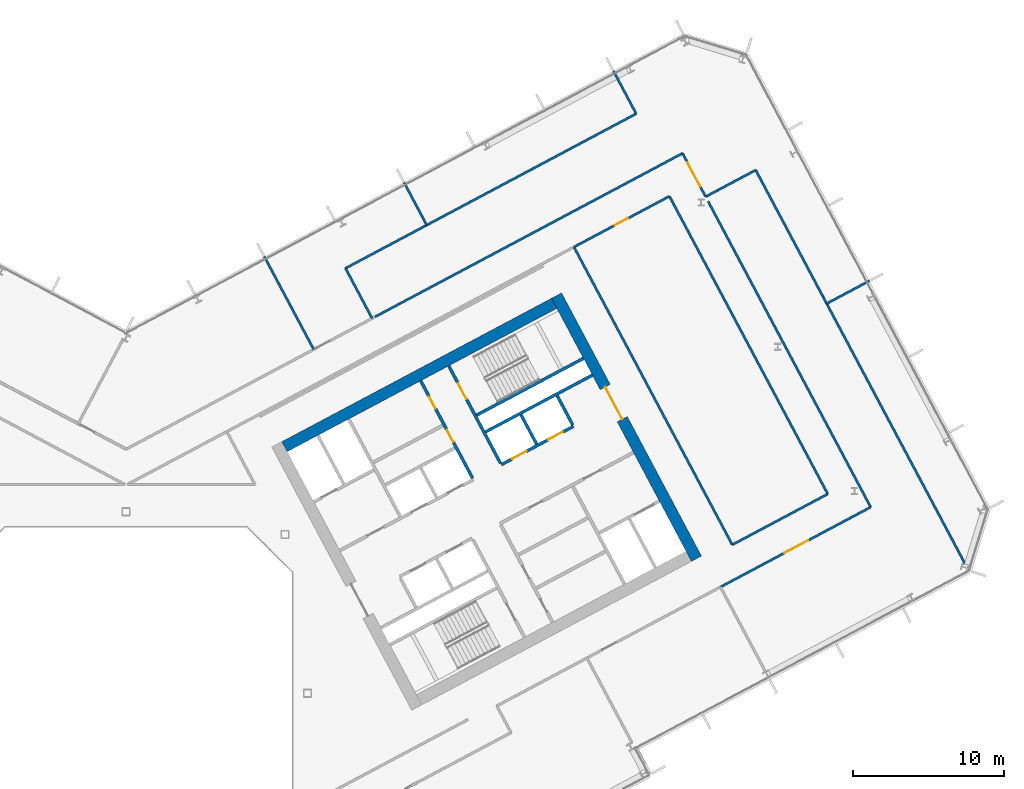
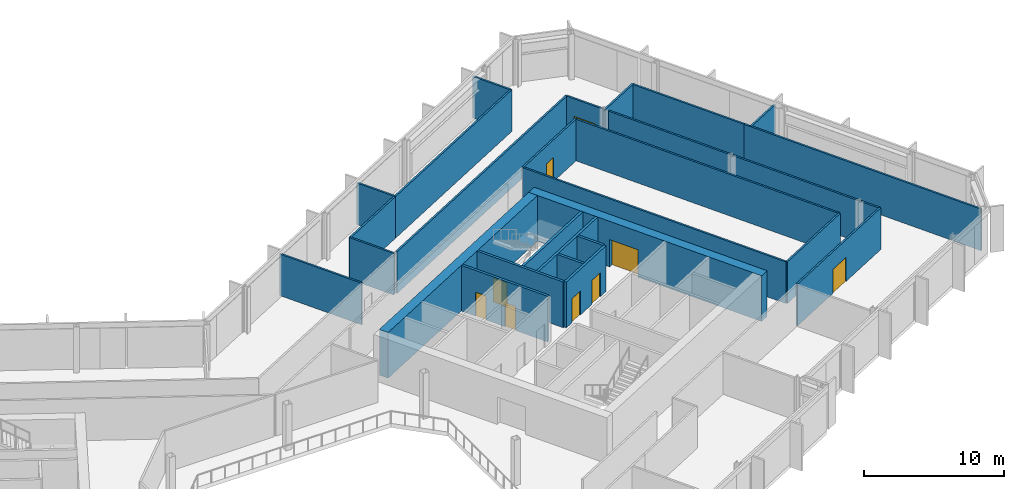
# One storey, part 17 of 28: 27 walls, 9 doors, 9 openings.
"""IFC4 building model written with IfcOpenShell, lengths in metres."""

from ifc_helpers import new_model, si_unit, direction, frame, frame_2d, origin, place, context, subcontext, project, spatial, rectangle, extrude, material, layer, layer_set, type_object, element, fill, save


model = new_model("IFC4")

# Units and contexts
model_context = context("Model", 3, precision=1e-05, world=origin(), true_north=direction((0.0, 1.0)))
body_context = subcontext(model_context, "Body", "Model", "MODEL_VIEW")
ifc_project = project(units=[si_unit("LENGTHUNIT", "METRE"), si_unit("AREAUNIT", "SQUARE_METRE"), si_unit("VOLUMEUNIT", "CUBIC_METRE"), si_unit("PLANEANGLEUNIT", "RADIAN"), si_unit("MASSUNIT", "GRAM", prefix="KILO")], contexts=[model_context])

# Site, building, storey
site_placement = place(None, origin())
site = spatial("IfcSite", under=ifc_project, at=site_placement, CompositionType="ELEMENT")
building_placement = place(site_placement, origin())
building = spatial("IfcBuilding", under=site, at=building_placement, Name="Cormorant Relay Tower", CompositionType="ELEMENT")
storey_placement = place(building_placement, frame((0.0, 0.0, 130.199951171875)))
storey = spatial("IfcBuildingStorey", under=building, at=storey_placement, Name="L26", CompositionType="ELEMENT", Elevation=130.199951171875)

# Wall
ifc_material_1 = material(Name="Concrete 40 MPa", Category="concrete")
ifc_layer_1 = layer(ifc_material_1, 0.199951171875)
ifc_layer_set_1 = layer_set([ifc_layer_1], Name="Core internal wall 200")
wall_type_1 = type_object("IfcWallType", Name="Core internal wall 200", PredefinedType="SOLIDWALL", material=ifc_layer_set_1)
wall_1_placement = place(storey_placement, frame((27.144287109375, 16.471435546875, 0.0), z_axis=(0.0, 0.0, 1.0), x_axis=(-0.469401318492, 0.882984938828, 0.0)))
element("IfcWall", 1, at=wall_1_placement, inside=storey, type_object=wall_type_1, Name="L26 core B shaft and room wall", PredefinedType="SOLIDWALL", context=body_context, shape_type="SweptSolid", body=[
    extrude(rectangle(XDim=2.199951171875, YDim=0.199951171875, at=frame_2d((1.10009765625, 0.0))), origin(), (0.0, 0.0, 1.0), 4.0),
])

# Wall, openings, doors
ifc_material_2 = material(Name="Concrete 50 MPa", Category="concrete")
ifc_layer_2 = layer(ifc_material_2, 0.199951171875)
ifc_layer_set_2 = layer_set([ifc_layer_2], Name="Core shaft wall 200")
wall_type_2 = type_object("IfcWallType", Name="Core shaft wall 200", PredefinedType="SHEAR", material=ifc_layer_set_2)
wall_2_placement = place(storey_placement, frame((22.90625, 14.218017578125, 0.0), z_axis=(0.0, 0.0, 1.0), x_axis=(-0.469480409012, 0.88294288918, 0.0)))
wall_2 = element("IfcWall", 2, at=wall_2_placement, inside=storey, type_object=wall_type_2, Name="L26 core B shaft wall", PredefinedType="SHEAR", context=body_context, shape_type="SweptSolid", body=[
    extrude(rectangle(XDim=7.300048828125, YDim=0.199951171875, at=frame_2d((3.64990234375, 0.0))), origin(), (0.0, 0.0, 1.0), 4.0),
])
opening_1_placement = place(wall_2_placement, frame((2.699951171875, 0.0, 0.0)))
opening_1 = element("IfcOpeningElement", 3, at=opening_1_placement, cuts=wall_2, Name="Opening CDD-192", PredefinedType="OPENING", context=body_context, shape_type="SweptSolid", body=[
    extrude(rectangle(XDim=0.89990234375, YDim=2.10009765625, at=frame_2d((0.449951171875, 1.050048828125))), frame((0.0, 0.10986328125, 0.0), z_axis=(0.0, -1.0, 0.0), x_axis=(1.0, 0.0, 0.0)), (0.0, 0.0, 1.0), 0.219970703125),
])
opening_2_placement = place(wall_2_placement, frame((5.199951171875, 0.0, 0.0)))
opening_2 = element("IfcOpeningElement", 4, at=opening_2_placement, cuts=wall_2, Name="Opening CDD-193", PredefinedType="OPENING", context=body_context, shape_type="SweptSolid", body=[
    extrude(rectangle(XDim=0.89990234375, YDim=2.10009765625, at=frame_2d((0.449951171875, 1.050048828125))), frame((0.0, 0.10986328125, 0.0), z_axis=(0.0, -1.0, 0.0), x_axis=(1.0, 0.0, 0.0)), (0.0, 0.0, 1.0), 0.219970703125),
])
ifc_material_3 = material(Name="Steel fire door", Category="steel")
door_type_1 = type_object("IfcDoorType", Name="Core room door 900x2100", OperationType="SINGLE_SWING_LEFT", PredefinedType="DOOR", material=ifc_material_3)
door_1_placement = place(opening_1_placement, origin())
door_1 = element("IfcDoor", 5, at=door_1_placement, inside=storey, type_object=door_type_1, Name="Core room door 900x2100", OperationType="SINGLE_SWING_RIGHT", OverallHeight=2.10009765625, OverallWidth=0.89990234375, PredefinedType="DOOR", context=body_context, shape_type="SweptSolid", body=[
    extrude(rectangle(XDim=0.89990234375, YDim=2.10009765625, at=frame_2d((0.449951171875, 1.050048828125))), frame((0.0, 0.02490234375, 0.0), z_axis=(0.0, -1.0, 0.0), x_axis=(1.0, 0.0, 0.0)), (0.0, 0.0, 1.0), 0.050048828125),
])
fill(opening_1, door_1)
door_2_placement = place(opening_2_placement, origin())
door_2 = element("IfcDoor", 6, at=door_2_placement, inside=storey, type_object=door_type_1, Name="Core room door 900x2100", OperationType="SINGLE_SWING_LEFT", OverallHeight=2.10009765625, OverallWidth=0.89990234375, PredefinedType="DOOR", context=body_context, shape_type="SweptSolid", body=[
    extrude(rectangle(XDim=0.89990234375, YDim=2.10009765625, at=frame_2d((0.449951171875, 1.050048828125))), frame((0.0, 0.02490234375, 0.0), z_axis=(0.0, -1.0, 0.0), x_axis=(1.0, 0.0, 0.0)), (0.0, 0.0, 1.0), 0.050048828125),
])
fill(opening_2, door_2)

# Wall, opening, door
wall_3_placement = place(storey_placement, frame((24.760498046875, 15.2041015625, 0.0), z_axis=(0.0, 0.0, 1.0), x_axis=(-0.469494272526, 0.882935517501, 0.0)))
wall_3 = element("IfcWall", 7, at=wall_3_placement, inside=storey, type_object=wall_type_2, Name="L26 core B shaft wall", PredefinedType="SHEAR", context=body_context, shape_type="SweptSolid", body=[
    extrude(rectangle(XDim=7.2998046875, YDim=0.199951171875, at=frame_2d((3.64990234375, 0.0))), origin(), (0.0, 0.0, 1.0), 4.0),
])
opening_3_placement = place(wall_3_placement, frame((4.800048828125, 0.0, 0.0)))
opening_3 = element("IfcOpeningElement", 8, at=opening_3_placement, cuts=wall_3, Name="Opening CDB-037", PredefinedType="OPENING", context=body_context, shape_type="SweptSolid", body=[
    extrude(rectangle(XDim=1.199951171875, YDim=2.10009765625, at=frame_2d((0.60009765625, 1.050048828125))), frame((0.0, 0.10986328125, 0.0), z_axis=(0.0, -1.0, 0.0), x_axis=(1.0, 0.0, 0.0)), (0.0, 0.0, 1.0), 0.219970703125),
])
ifc_material_4 = material(Name="Steel fire door", Category="steel")
door_type_2 = type_object("IfcDoorType", Name="Core stair door 1200x2100", OperationType="SINGLE_SWING_LEFT", PredefinedType="DOOR", material=ifc_material_4)
door_3_placement = place(opening_3_placement, frame((1.199951171875, 0.0, 0.0), z_axis=(0.0, 0.0, 1.0), x_axis=(-1.0, 0.0, 0.0)))
door_3 = element("IfcDoor", 9, at=door_3_placement, inside=storey, type_object=door_type_2, Name="Core stair door 1200x2100", OperationType="SINGLE_SWING_RIGHT", OverallHeight=2.10009765625, OverallWidth=1.199951171875, PredefinedType="DOOR", context=body_context, shape_type="SweptSolid", body=[
    extrude(rectangle(XDim=1.199951171875, YDim=2.10009765625, at=frame_2d((0.60009765625, 1.050048828125))), frame((0.0, 0.02490234375, 0.0), z_axis=(0.0, -1.0, 0.0), x_axis=(1.0, 0.0, 0.0)), (0.0, 0.0, 1.0), 0.050048828125),
])
fill(opening_3, door_3)

# Wall
wall_4_placement = place(storey_placement, frame((29.5283203125, 17.739013671875, 0.0), z_axis=(0.0, 0.0, 1.0), x_axis=(-0.469401318492, 0.882984938828, 0.0)))
element("IfcWall", 10, at=wall_4_placement, inside=storey, type_object=wall_type_2, Name="L26 core B shaft wall", PredefinedType="SHEAR", context=body_context, shape_type="SweptSolid", body=[
    extrude(rectangle(XDim=2.199951171875, YDim=0.199951171875, at=frame_2d((1.10009765625, 0.0))), origin(), (0.0, 0.0, 1.0), 4.0),
])

# Wall, openings, doors
wall_5_placement = place(storey_placement, frame((24.807373046875, 15.11572265625, 0.0), z_axis=(0.0, 0.0, 1.0), x_axis=(0.882942972946, 0.469480251476, 0.0)))
wall_5 = element("IfcWall", 11, at=wall_5_placement, inside=storey, type_object=wall_type_2, Name="L26 core B shaft wall", PredefinedType="SHEAR", context=body_context, shape_type="SweptSolid", body=[
    extrude(rectangle(XDim=5.39990234375, YDim=0.199951171875, at=frame_2d((2.699951171875, 0.0))), origin(), (0.0, 0.0, 1.0), 4.0),
])
opening_4_placement = place(wall_5_placement, frame((0.800048828125, 0.0, 0.0)))
opening_4 = element("IfcOpeningElement", 12, at=opening_4_placement, cuts=wall_5, Name="Opening LD1-046", PredefinedType="OPENING", context=body_context, shape_type="SweptSolid", body=[
    extrude(rectangle(XDim=1.10009765625, YDim=2.10009765625, at=frame_2d((0.550048828125, 1.050048828125))), frame((0.0, 0.10986328125, 0.0), z_axis=(0.0, -1.0, 0.0), x_axis=(1.0, 0.0, 0.0)), (0.0, 0.0, 1.0), 0.219970703125),
])
opening_5_placement = place(wall_5_placement, frame((3.5, 0.0, 0.0)))
opening_5 = element("IfcOpeningElement", 13, at=opening_5_placement, cuts=wall_5, Name="Opening LD1-047", PredefinedType="OPENING", context=body_context, shape_type="SweptSolid", body=[
    extrude(rectangle(XDim=1.10009765625, YDim=2.10009765625, at=frame_2d((0.550048828125, 1.050048828125))), frame((0.0, 0.10986328125, 0.0), z_axis=(0.0, -1.0, 0.0), x_axis=(1.0, 0.0, 0.0)), (0.0, 0.0, 1.0), 0.219970703125),
])
ifc_material_5 = material(Name="Stainless steel 316", Category="steel")
door_type_3 = type_object("IfcDoorType", Name="Lift landing door 1100x2100", OperationType="DOUBLE_DOOR_SLIDING", PredefinedType="DOOR", material=ifc_material_5)
door_4_placement = place(opening_4_placement, origin())
door_4 = element("IfcDoor", 14, at=door_4_placement, inside=storey, type_object=door_type_3, Name="LR3 landing door", OperationType="DOUBLE_DOOR_SLIDING", OverallHeight=2.10009765625, OverallWidth=1.10009765625, PredefinedType="DOOR", context=body_context, shape_type="SweptSolid", body=[
    extrude(rectangle(XDim=1.10009765625, YDim=2.10009765625, at=frame_2d((0.550048828125, 1.050048828125))), frame((0.0, 0.02490234375, 0.0), z_axis=(0.0, -1.0, 0.0), x_axis=(1.0, 0.0, 0.0)), (0.0, 0.0, 1.0), 0.050048828125),
])
fill(opening_4, door_4)
door_5_placement = place(opening_5_placement, origin())
door_5 = element("IfcDoor", 15, at=door_5_placement, inside=storey, type_object=door_type_3, Name="LR4 landing door", OperationType="DOUBLE_DOOR_SLIDING", OverallHeight=2.10009765625, OverallWidth=1.10009765625, PredefinedType="DOOR", context=body_context, shape_type="SweptSolid", body=[
    extrude(rectangle(XDim=1.10009765625, YDim=2.10009765625, at=frame_2d((0.550048828125, 1.050048828125))), frame((0.0, 0.02490234375, 0.0), z_axis=(0.0, -1.0, 0.0), x_axis=(1.0, 0.0, 0.0)), (0.0, 0.0, 1.0), 0.050048828125),
])
fill(opening_5, door_5)

# Walls
wall_6_placement = place(storey_placement, frame((23.76904296875, 17.28173828125, 0.0), z_axis=(0.0, 0.0, 1.0), x_axis=(0.882940221191, 0.469485426614, 0.0)))
element("IfcWall", 16, at=wall_6_placement, inside=storey, type_object=wall_type_2, Name="L26 core B shaft wall", PredefinedType="SHEAR", context=body_context, shape_type="SweptSolid", body=[
    extrude(rectangle(XDim=8.0, YDim=0.199951171875, at=frame_2d((4.0, 0.0))), origin(), (0.0, 0.0, 1.0), 4.0),
])
wall_7_placement = place(storey_placement, frame((23.18212890625, 18.385498046875, 0.0), z_axis=(0.0, 0.0, 1.0), x_axis=(0.88295287151, 0.469461634952, 0.0)))
element("IfcWall", 17, at=wall_7_placement, inside=storey, type_object=wall_type_2, Name="L26 core B shaft wall", PredefinedType="SHEAR", context=body_context, shape_type="SweptSolid", body=[
    extrude(rectangle(XDim=7.999755859375, YDim=0.199951171875, at=frame_2d((4.0, 0.0))), origin(), (0.0, 0.0, 1.0), 4.0),
])

# Wall, opening, door
ifc_material_6 = material(Name="Concrete 60 MPa", Category="concrete")
ifc_layer_3 = layer(ifc_material_6, 0.75)
ifc_layer_set_3 = layer_set([ifc_layer_3], Name="Core wall 750")
wall_type_3 = type_object("IfcWallType", Name="Core wall 750", PredefinedType="SHEAR", material=ifc_layer_set_3)
wall_8_placement = place(storey_placement, frame((37.712646484375, 8.896484375, 0.0), z_axis=(0.0, 0.0, 1.0), x_axis=(-0.469469918705, 0.88294846703, 0.0)))
wall_8 = element("IfcWall", 18, at=wall_8_placement, inside=storey, type_object=wall_type_3, Name="L26 core B wall", PredefinedType="SHEAR", context=body_context, shape_type="SweptSolid", body=[
    extrude(rectangle(XDim=19.699951171875, YDim=0.75, at=frame_2d((9.85009765625, 0.0))), origin(), (0.0, 0.0, 1.0), 4.0),
])
opening_6_placement = place(wall_8_placement, frame((10.449951171875, 0.0, 0.0)))
opening_6 = element("IfcOpeningElement", 19, at=opening_6_placement, cuts=wall_8, Name="Opening CDA-029", PredefinedType="OPENING", context=body_context, shape_type="SweptSolid", body=[
    extrude(rectangle(XDim=2.39990234375, YDim=2.39990234375, at=frame_2d((1.199951171875, 1.199951171875))), frame((0.0, 0.385009765625, 0.0), z_axis=(0.0, -1.0, 0.0), x_axis=(1.0, 0.0, 0.0)), (0.0, 0.0, 1.0), 0.77001953125),
])
ifc_material_7 = material(Name="Steel fire door", Category="steel")
door_type_4 = type_object("IfcDoorType", Name="Core lobby door 2400x2400", OperationType="DOUBLE_DOOR_SINGLE_SWING", PredefinedType="DOOR", material=ifc_material_7)
door_6_placement = place(opening_6_placement, origin())
door_6 = element("IfcDoor", 20, at=door_6_placement, inside=storey, type_object=door_type_4, Name="Core lobby door 2400x2400", OperationType="DOUBLE_DOOR_SINGLE_SWING", OverallHeight=2.39990234375, OverallWidth=2.39990234375, PredefinedType="DOOR", context=body_context, shape_type="SweptSolid", body=[
    extrude(rectangle(XDim=2.39990234375, YDim=2.39990234375, at=frame_2d((1.199951171875, 1.199951171875))), frame((0.0, 0.02490234375, 0.0), z_axis=(0.0, -1.0, 0.0), x_axis=(1.0, 0.0, 0.0)), (0.0, 0.0, 1.0), 0.050048828125),
])
fill(opening_6, door_6)

# Wall
wall_9_placement = place(storey_placement, frame((10.4736328125, 16.300048828125, 0.0), z_axis=(0.0, 0.0, 1.0), x_axis=(0.88295010195, 0.469466843842, 0.0)))
element("IfcWall", 21, at=wall_9_placement, inside=storey, type_object=wall_type_3, Name="L26 core B wall", PredefinedType="SHEAR", context=body_context, shape_type="SweptSolid", body=[
    extrude(rectangle(XDim=20.199951171875, YDim=0.75, at=frame_2d((10.10009765625, 0.0))), origin(), (0.0, 0.0, 1.0), 4.0),
])

# Wall, opening, door
ifc_material_8 = material(Name="Gypsum board fire partition")
ifc_layer_4 = layer(ifc_material_8, 0.14990234375)
ifc_layer_set_4 = layer_set([ifc_layer_4], Name="Corridor partition 150 EI 60")
wall_type_4 = type_object("IfcWallType", Name="Corridor partition 150 EI 60", PredefinedType="PARTITIONING", material=ifc_layer_set_4)
wall_10_placement = place(storey_placement, frame((38.318115234375, 32.840087890625, 0.0), z_axis=(0.0, 0.0, 1.0), x_axis=(-0.469716602495, 0.882817259313, 0.0)))
wall_10 = element("IfcWall", 22, at=wall_10_placement, inside=storey, type_object=wall_type_4, Name="wall/L26/part/060", PredefinedType="PARTITIONING", context=body_context, shape_type="SweptSolid", body=[
    extrude(rectangle(XDim=3.24267578125, YDim=0.14990234375, at=frame_2d((1.621337890625, 0.0))), origin(), (0.0, 0.0, 1.0), 3.64013671875),
])
opening_7_placement = place(wall_10_placement, frame((0.75, 0.0, 0.0)))
opening_7 = element("IfcOpeningElement", 23, at=opening_7_placement, cuts=wall_10, Name="Opening DD-008", PredefinedType="OPENING", context=body_context, shape_type="SweptSolid", body=[
    extrude(rectangle(XDim=1.800048828125, YDim=2.10009765625, at=frame_2d((0.89990234375, 1.050048828125))), frame((0.0, 0.0849609375, 0.0), z_axis=(0.0, -1.0, 0.0), x_axis=(1.0, 0.0, 0.0)), (0.0, 0.0, 1.0), 0.169921875),
])
ifc_material_9 = material(Name="Timber door leaf", Category="wood")
door_type_5 = type_object("IfcDoorType", Name="Suite double door 1800x2100", OperationType="DOUBLE_DOOR_SINGLE_SWING", PredefinedType="DOOR", material=ifc_material_9)
door_7_placement = place(opening_7_placement, frame((1.800048828125, 0.0, 0.0), z_axis=(0.0, 0.0, 1.0), x_axis=(-1.0, 0.0, 0.0)))
door_7 = element("IfcDoor", 24, at=door_7_placement, inside=storey, type_object=door_type_5, Name="door/L26/007", OperationType="DOUBLE_DOOR_SINGLE_SWING", OverallHeight=2.10009765625, OverallWidth=1.800048828125, PredefinedType="DOOR", context=body_context, shape_type="SweptSolid", body=[
    extrude(rectangle(XDim=1.800048828125, YDim=2.10009765625, at=frame_2d((0.89990234375, 1.050048828125))), frame((0.0, 0.02490234375, 0.0), z_axis=(0.0, -1.0, 0.0), x_axis=(1.0, 0.0, 0.0)), (0.0, 0.0, 1.0), 0.050048828125),
])
fill(opening_7, door_7)

# Wall
wall_11_placement = place(storey_placement, frame((36.794921875, 35.702880859375, 0.0), z_axis=(0.0, 0.0, 1.0), x_axis=(-0.882943092456, -0.469480026716, 0.0)))
element("IfcWall", 25, at=wall_11_placement, inside=storey, type_object=wall_type_4, Name="wall/L26/part/061", PredefinedType="PARTITIONING", context=body_context, shape_type="SweptSolid", body=[
    extrude(rectangle(XDim=23.025146484375, YDim=0.14990234375, at=frame_2d((11.5126953125, 0.0))), origin(), (0.0, 0.0, 1.0), 3.64013671875),
])

# Wall, opening, door
wall_12_placement = place(storey_placement, frame((29.614013671875, 29.507080078125, 0.0), z_axis=(0.0, 0.0, 1.0), x_axis=(0.882989239747, 0.469393227998, 0.0)))
wall_12 = element("IfcWall", 26, at=wall_12_placement, inside=storey, type_object=wall_type_4, Name="wall/L26/part/069", PredefinedType="PARTITIONING", context=body_context, shape_type="SweptSolid", body=[
    extrude(rectangle(XDim=7.149658203125, YDim=0.14990234375, at=frame_2d((3.57470703125, 0.0))), origin(), (0.0, 0.0, 1.0), 3.64013671875),
])
opening_8_placement = place(wall_12_placement, frame((3.050048828125, 0.0, 0.0)))
opening_8 = element("IfcOpeningElement", 27, at=opening_8_placement, cuts=wall_12, Name="Opening DS-034", PredefinedType="OPENING", context=body_context, shape_type="SweptSolid", body=[
    extrude(rectangle(XDim=1.0, YDim=2.10009765625, at=frame_2d((0.5, 1.050048828125))), frame((0.0, 0.0849609375, 0.0), z_axis=(0.0, -1.0, 0.0), x_axis=(1.0, 0.0, 0.0)), (0.0, 0.0, 1.0), 0.169921875),
])
ifc_material_10 = material(Name="Timber door leaf", Category="wood")
door_type_6 = type_object("IfcDoorType", Name="Suite door 1000x2100", OperationType="SINGLE_SWING_LEFT", PredefinedType="DOOR", material=ifc_material_10)
door_8_placement = place(opening_8_placement, origin())
door_8 = element("IfcDoor", 28, at=door_8_placement, inside=storey, type_object=door_type_6, Name="door/L26/021", OperationType="SINGLE_SWING_LEFT", OverallHeight=2.10009765625, OverallWidth=1.0, PredefinedType="DOOR", context=body_context, shape_type="SweptSolid", body=[
    extrude(rectangle(XDim=1.0, YDim=2.10009765625, at=frame_2d((0.5, 1.050048828125))), frame((0.0, 0.02490234375, 0.0), z_axis=(0.0, -1.0, 0.0), x_axis=(1.0, 0.0, 0.0)), (0.0, 0.0, 1.0), 0.050048828125),
])
fill(opening_8, door_8)

# Walls
wall_13_placement = place(storey_placement, frame((35.927001953125, 32.863037109375, 0.0), z_axis=(0.0, 0.0, 1.0), x_axis=(0.469478059645, -0.882944138387, 0.0)))
element("IfcWall", 29, at=wall_13_placement, inside=storey, type_object=wall_type_4, Name="wall/L26/part/070", PredefinedType="PARTITIONING", context=body_context, shape_type="SweptSolid", body=[
    extrude(rectangle(XDim=22.29931640625, YDim=0.14990234375, at=frame_2d((11.149658203125, 0.0))), origin(), (0.0, 0.0, 1.0), 3.64013671875),
])
wall_14_placement = place(storey_placement, frame((46.39599609375, 13.174072265625, 0.0), z_axis=(0.0, 0.0, 1.0), x_axis=(-0.882918469701, -0.469526331381, 0.0)))
element("IfcWall", 30, at=wall_14_placement, inside=storey, type_object=wall_type_4, Name="wall/L26/part/071", PredefinedType="PARTITIONING", context=body_context, shape_type="SweptSolid", body=[
    extrude(rectangle(XDim=7.150146484375, YDim=0.14990234375, at=frame_2d((3.5751953125, 0.0))), origin(), (0.0, 0.0, 1.0), 3.64013671875),
])
wall_15_placement = place(storey_placement, frame((40.0830078125, 9.81689453125, 0.0), z_axis=(0.0, 0.0, 1.0), x_axis=(-0.469455368788, 0.88295620317, 0.0)))
element("IfcWall", 31, at=wall_15_placement, inside=storey, type_object=wall_type_4, Name="wall/L26/part/076", PredefinedType="PARTITIONING", context=body_context, shape_type="SweptSolid", body=[
    extrude(rectangle(XDim=22.30029296875, YDim=0.14990234375, at=frame_2d((11.150146484375, 0.0))), origin(), (0.0, 0.0, 1.0), 3.64013671875),
])

# Wall, opening, door
wall_16_placement = place(storey_placement, frame((39.321044921875, 7.033935546875, 0.0), z_axis=(0.0, 0.0, 1.0), x_axis=(0.882945641188, 0.469475233326, 0.0)))
wall_16 = element("IfcWall", 32, at=wall_16_placement, inside=storey, type_object=wall_type_4, Name="wall/L26/part/080", PredefinedType="PARTITIONING", context=body_context, shape_type="SweptSolid", body=[
    extrude(rectangle(XDim=11.2294921875, YDim=0.14990234375, at=frame_2d((5.61474609375, 0.0))), origin(), (0.0, 0.0, 1.0), 3.64013671875),
])
opening_9_placement = place(wall_16_placement, frame((4.7509765625, 0.0, 0.0)))
opening_9 = element("IfcOpeningElement", 33, at=opening_9_placement, cuts=wall_16, Name="Opening DD-007", PredefinedType="OPENING", context=body_context, shape_type="SweptSolid", body=[
    extrude(rectangle(XDim=1.800048828125, YDim=2.10009765625, at=frame_2d((0.89990234375, 1.050048828125))), frame((0.0, 0.0849609375, 0.0), z_axis=(0.0, -1.0, 0.0), x_axis=(1.0, 0.0, 0.0)), (0.0, 0.0, 1.0), 0.169921875),
])
door_9_placement = place(opening_9_placement, frame((1.800048828125, 0.0, 0.0), z_axis=(0.0, 0.0, 1.0), x_axis=(-1.0, 0.0, 0.0)))
door_9 = element("IfcDoor", 34, at=door_9_placement, inside=storey, type_object=door_type_5, Name="door/L26/006", OperationType="DOUBLE_DOOR_SINGLE_SWING", OverallHeight=2.10009765625, OverallWidth=1.800048828125, PredefinedType="DOOR", context=body_context, shape_type="SweptSolid", body=[
    extrude(rectangle(XDim=1.800048828125, YDim=2.10009765625, at=frame_2d((0.89990234375, 1.050048828125))), frame((0.0, 0.02490234375, 0.0), z_axis=(0.0, -1.0, 0.0), x_axis=(1.0, 0.0, 0.0)), (0.0, 0.0, 1.0), 0.050048828125),
])
fill(opening_9, door_9)

# Walls
wall_17_placement = place(storey_placement, frame((38.48291015625, 32.529052734375, 0.0), z_axis=(0.0, 0.0, 1.0), x_axis=(0.469465364691, -0.882950888416, 0.0)))
element("IfcWall", 35, at=wall_17_placement, inside=storey, type_object=wall_type_4, Name="wall/L26/part/081", PredefinedType="PARTITIONING", context=body_context, shape_type="SweptSolid", body=[
    extrude(rectangle(XDim=22.905029296875, YDim=0.14990234375, at=frame_2d((11.45263671875, 0.0))), origin(), (0.0, 0.0, 1.0), 3.64013671875),
])
ifc_material_11 = material(Name="Gypsum board partition")
ifc_layer_5 = layer(ifc_material_11, 0.14990234375)
ifc_layer_set_5 = layer_set([ifc_layer_5], Name="Tenant partition 150")
wall_type_5 = type_object("IfcWallType", Name="Tenant partition 150", PredefinedType="PARTITIONING", material=ifc_layer_set_5)
wall_18_placement = place(storey_placement, frame((9.139892578125, 28.8701171875, 0.0), z_axis=(0.0, 0.0, 1.0), x_axis=(0.469526748636, -0.88291824781, 0.0)))
element("IfcWall", 36, at=wall_18_placement, inside=storey, type_object=wall_type_5, Name="wall/L26/part/052", PredefinedType="PARTITIONING", context=body_context, shape_type="SweptSolid", body=[
    extrude(rectangle(XDim=6.949951171875, YDim=0.14990234375, at=frame_2d((3.47509765625, 0.0))), origin(), (0.0, 0.0, 1.0), 3.64013671875),
])
wall_19_placement = place(storey_placement, frame((14.507080078125, 28.10009765625, 0.0), z_axis=(0.0, 0.0, 1.0), x_axis=(0.469217340227, -0.883082718453, 0.0)))
element("IfcWall", 37, at=wall_19_placement, inside=storey, type_object=wall_type_5, Name="wall/L26/part/058", PredefinedType="PARTITIONING", context=body_context, shape_type="SweptSolid", body=[
    extrude(rectangle(XDim=3.73583984375, YDim=0.14990234375, at=frame_2d((1.867919921875, 0.0))), origin(), (0.0, 0.0, 1.0), 3.64013671875),
])
wall_20_placement = place(storey_placement, frame((14.506103515625, 28.09912109375, 0.0), z_axis=(0.0, 0.0, 1.0), x_axis=(0.882951640414, 0.469463950363, 0.0)))
element("IfcWall", 38, at=wall_20_placement, inside=storey, type_object=wall_type_5, Name="wall/L26/part/059", PredefinedType="PARTITIONING", context=body_context, shape_type="SweptSolid", body=[
    extrude(rectangle(XDim=6.031982421875, YDim=0.14990234375, at=frame_2d((3.01611328125, 0.0))), origin(), (0.0, 0.0, 1.0), 3.64013671875),
])
wall_21_placement = place(storey_placement, frame((18.3740234375, 33.780029296875, 0.0), z_axis=(0.0, 0.0, 1.0), x_axis=(0.469685095616, -0.882834022315, 0.0)))
element("IfcWall", 39, at=wall_21_placement, inside=storey, type_object=wall_type_5, Name="wall/L26/part/062", PredefinedType="PARTITIONING", context=body_context, shape_type="SweptSolid", body=[
    extrude(rectangle(XDim=3.199951171875, YDim=0.14990234375, at=frame_2d((1.60009765625, 0.0))), origin(), (0.0, 0.0, 1.0), 3.64013671875),
])
wall_22_placement = place(storey_placement, frame((19.83203125, 30.930908203125, 0.0), z_axis=(0.0, 0.0, 1.0), x_axis=(0.88293368678, 0.469497715382, 0.0)))
element("IfcWall", 40, at=wall_22_placement, inside=storey, type_object=wall_type_5, Name="wall/L26/part/065", PredefinedType="PARTITIONING", context=body_context, shape_type="SweptSolid", body=[
    extrude(rectangle(XDim=15.738525390625, YDim=0.14990234375, at=frame_2d((7.869140625, 0.0))), origin(), (0.0, 0.0, 1.0), 3.64013671875),
])
wall_23_placement = place(storey_placement, frame((33.72802734375, 38.320068359375, 0.0), z_axis=(0.0, 0.0, 1.0), x_axis=(-0.469320691295, 0.883027796121, 0.0)))
element("IfcWall", 41, at=wall_23_placement, inside=storey, type_object=wall_type_5, Name="wall/L26/part/066", PredefinedType="PARTITIONING", context=body_context, shape_type="SweptSolid", body=[
    extrude(rectangle(XDim=3.2001953125, YDim=0.14990234375, at=frame_2d((1.60009765625, 0.0))), origin(), (0.0, 0.0, 1.0), 3.64013671875),
])
wall_24_placement = place(storey_placement, frame((46.0810546875, 26.22607421875, 0.0), z_axis=(0.0, 0.0, 1.0), x_axis=(-0.469444635522, 0.882961909812, 0.0)))
element("IfcWall", 42, at=wall_24_placement, inside=storey, type_object=wall_type_5, Name="wall/L26/part/078", PredefinedType="PARTITIONING", context=body_context, shape_type="SweptSolid", body=[
    extrude(rectangle(XDim=9.47705078125, YDim=0.14990234375, at=frame_2d((4.738525390625, 0.0))), origin(), (0.0, 0.0, 1.0), 3.64013671875),
])
wall_25_placement = place(storey_placement, frame((41.632080078125, 34.593994140625, 0.0), z_axis=(0.0, 0.0, 1.0), x_axis=(-0.883031968756, -0.46931284039, 0.0)))
element("IfcWall", 43, at=wall_25_placement, inside=storey, type_object=wall_type_5, Name="wall/L26/part/079", PredefinedType="PARTITIONING", context=body_context, shape_type="SweptSolid", body=[
    extrude(rectangle(XDim=3.737060546875, YDim=0.14990234375, at=frame_2d((1.86865234375, 0.0))), origin(), (0.0, 0.0, 1.0), 3.64013671875),
])
wall_26_placement = place(storey_placement, frame((46.0810546875, 26.22607421875, 0.0), z_axis=(0.0, 0.0, 1.0), x_axis=(0.469497962096, -0.88293355559, 0.0)))
element("IfcWall", 44, at=wall_26_placement, inside=storey, type_object=wall_type_5, Name="wall/L26/part/082", PredefinedType="PARTITIONING", context=body_context, shape_type="SweptSolid", body=[
    extrude(rectangle(XDim=20.031982421875, YDim=0.14990234375, at=frame_2d((10.01611328125, 0.0))), origin(), (0.0, 0.0, 1.0), 3.64013671875),
])
wall_27_placement = place(storey_placement, frame((49.152099609375, 27.26806640625, 0.0), z_axis=(0.0, 0.0, 1.0), x_axis=(-0.882819217955, -0.469712921271, 0.0)))
element("IfcWall", 45, at=wall_27_placement, inside=storey, type_object=wall_type_5, Name="wall/L26/part/083", PredefinedType="PARTITIONING", context=body_context, shape_type="SweptSolid", body=[
    extrude(rectangle(XDim=3.2001953125, YDim=0.14990234375, at=frame_2d((1.60009765625, 0.0))), origin(), (0.0, 0.0, 1.0), 3.64013671875),
])

save(model, "model.ifc")
